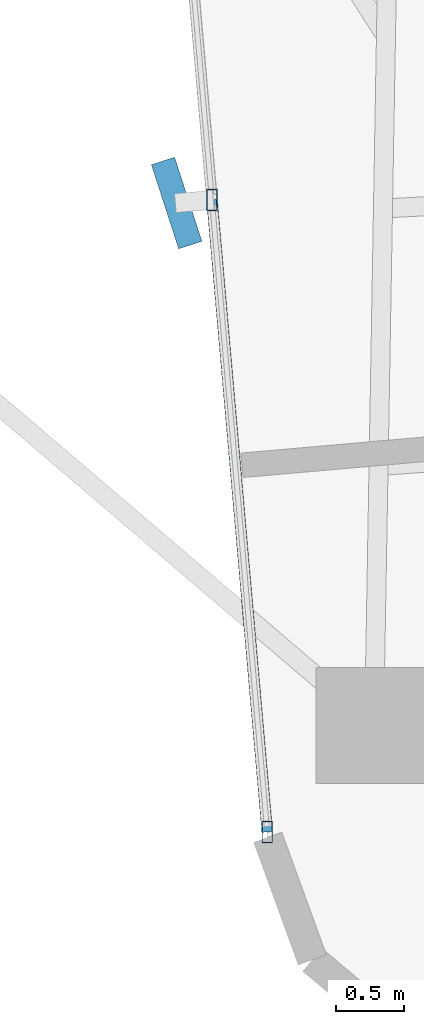
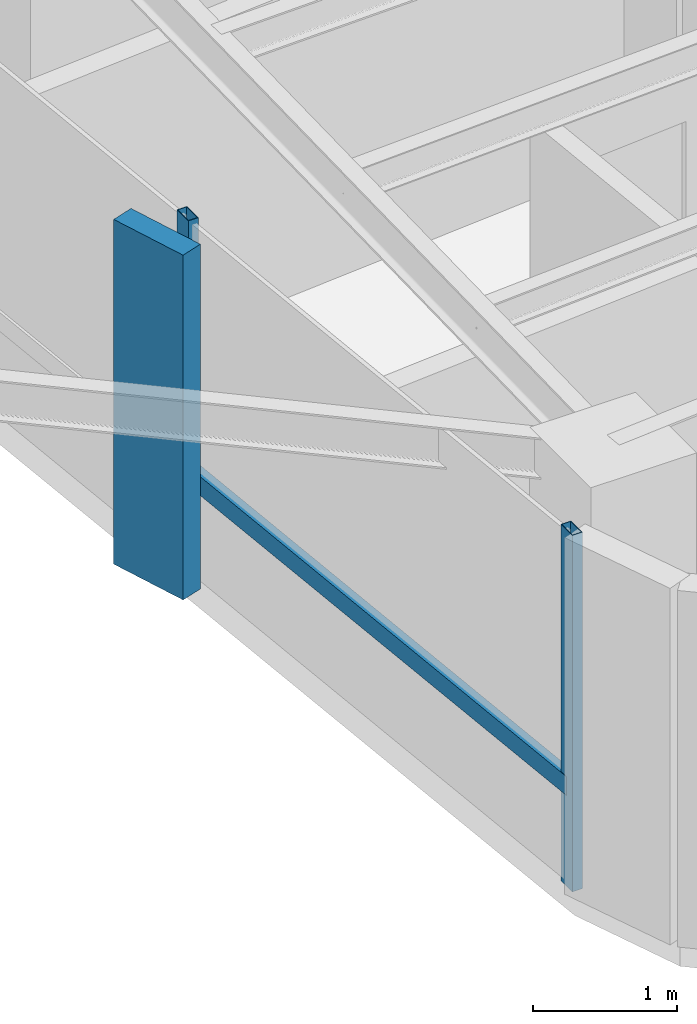
# One storey, part 2 of 24: 4 members, 1 element without a shape of its own.
"""IFC4 building model written with IfcOpenShell, lengths in metres."""

from ifc_helpers import new_model, si_unit, direction, frame, origin, origin_2d, place, context, subcontext, project, spatial, rectangle, hollow_rectangle, extrude, source, transform, mapped, material, material_profile, profile_set, type_object, element, aggregate, save


model = new_model("IFC4")

# Units and contexts
model_context = context("Model", 3, precision=1e-05, world=origin(), true_north=direction((0.0, 1.0)))
body_context = subcontext(model_context, "Body", "Model", "MODEL_VIEW")
ifc_project = project(units=[si_unit("LENGTHUNIT", "METRE"), si_unit("AREAUNIT", "SQUARE_METRE"), si_unit("VOLUMEUNIT", "CUBIC_METRE"), si_unit("PLANEANGLEUNIT", "RADIAN"), si_unit("MASSUNIT", "GRAM", prefix="KILO")], contexts=[model_context])

# Site, building, storey
site_placement = place(None, origin())
site = spatial("IfcSite", under=ifc_project, at=site_placement, CompositionType="ELEMENT")
building_placement = place(site_placement, origin())
building = spatial("IfcBuilding", under=site, at=building_placement, Name="Sahyath Konkavel Grand Hotel", CompositionType="ELEMENT")
storey_placement = place(building_placement, frame((0.0, 0.0, 198.64990234375)))
storey = spatial("IfcBuildingStorey", under=building, at=storey_placement, Name="L55", CompositionType="ELEMENT", Elevation=198.64990234375)

# Curtain wall, members
ifc_material_1 = material(Name="Anodised Bronze Aluminium & Low-E Glazing", Category="aluminium")
curtain_wall_type = type_object("IfcCurtainWallType", Name="CW-ZONE3", PredefinedType="NOTDEFINED", material=ifc_material_1)
curtain_wall_placement = place(storey_placement, origin())
curtain_wall = element("IfcCurtainWall", 1, at=curtain_wall_placement, inside=storey, type_object=curtain_wall_type, Name="L55 Unitised Curtain Wall F24", PredefinedType="NOTDEFINED")
ifc_material_2 = material(Name="Anodised Bronze Aluminium", Category="aluminium")
ifc_material_profile_1 = material_profile(ifc_material_2, hollow_rectangle(XDim=0.080078125, YDim=0.159912109375, WallThickness=0.006103515625, at=origin_2d()), Name="RHS 160x80x6")
ifc_profile_set_1 = profile_set([ifc_material_profile_1], Name="Anodised Bronze Aluminium")
member_type_1 = type_object("IfcMemberType", Name="CW-MUL-160", PredefinedType="MULLION", material=ifc_profile_set_1)
shared_shape_1 = source(origin(), body_context, "Body", "SweptSolid", [
    extrude(hollow_rectangle(XDim=0.080078125, YDim=0.159912109375, WallThickness=0.006103515625, at=origin_2d()), origin(), (0.0, 0.0, 1.0), 3.030029296875),
])
member_1_placement = place(storey_placement, frame((-5.12744140625, -14.251220703125, 0.0), z_axis=(0.0, 0.0, 1.0), x_axis=(1.0, 0.0, 0.0)))
member_1 = element("IfcMember", 2, at=member_1_placement, type_object=member_type_1, Name="L55 Curtain Wall Mullion F24-1", PredefinedType="MULLION", context=body_context, shape_type="MappedRepresentation", body=[
    mapped(shared_shape_1, transform((0.0, 0.0, 0.0), scale=1.0)),
])
member_2_placement = place(storey_placement, frame((-4.72119140625, -18.893310546875, 0.0), z_axis=(0.0, 0.0, 1.0), x_axis=(1.0, 0.0, 0.0)))
member_2 = element("IfcMember", 3, at=member_2_placement, type_object=member_type_1, Name="L55 Curtain Wall Mullion F24-2", PredefinedType="MULLION", context=body_context, shape_type="MappedRepresentation", body=[
    mapped(shared_shape_1, transform((0.0, 0.0, 0.0), scale=1.0)),
])
ifc_material_3 = material(Name="Warm Buff Sandstone Cladding on Concrete C50/60", Category="masonry")
ifc_material_profile_2 = material_profile(ifc_material_3, rectangle(XDim=0.179931640625, YDim=0.64990234375, at=origin_2d()), Name="FIN 180x650")
ifc_profile_set_2 = profile_set([ifc_material_profile_2], Name="Warm Buff Sandstone Cladding on Concrete C50/60")
member_type_2 = type_object("IfcMemberType", Name="FIN-SANDSTONE-650", PredefinedType="MULLION", material=ifc_profile_set_2)
shared_shape_2 = source(origin(), body_context, "Body", "SweptSolid", [
    extrude(rectangle(XDim=0.179931640625, YDim=0.64990234375, at=origin_2d()), origin(), (0.0, 0.0, 1.0), 2.929931640625),
])
member_3_placement = place(storey_placement, frame((-5.386474609375, -14.273681640625, 0.050048828125), z_axis=(0.0, 0.0, 1.0), x_axis=(0.951056516295, 0.309016994375, 0.0)))
member_3 = element("IfcMember", 4, at=member_3_placement, type_object=member_type_2, Name="L55 Sandstone Vertical Solar Fin FIN F24-1", PredefinedType="MULLION", context=body_context, shape_type="MappedRepresentation", body=[
    mapped(shared_shape_2, transform((0.0, 0.0, 0.0), scale=1.0)),
])
ifc_material_profile_3 = material_profile(ifc_material_2, hollow_rectangle(XDim=0.080078125, YDim=0.159912109375, WallThickness=0.006103515625, at=origin_2d()), Name="RHS 160x80x6")
ifc_profile_set_3 = profile_set([ifc_material_profile_3], Name="Anodised Bronze Aluminium")
member_type_3 = type_object("IfcMemberType", Name="CW-TRN-160", PredefinedType="USERDEFINED", material=ifc_profile_set_3)
shared_shape_3 = source(origin(), body_context, "Body", "SweptSolid", [
    extrude(hollow_rectangle(XDim=0.080078125, YDim=0.159912109375, WallThickness=0.006103515625, at=origin_2d()), origin(), (0.0, 0.0, 1.0), 4.659912109375),
])
member_4_placement = place(storey_placement, frame((-5.12744140625, -14.251220703125, 0.85009765625), z_axis=(0.087181248758, -0.996192466276, 0.0), x_axis=(0.996192466276, 0.087181248758, 0.0)))
member_4 = element("IfcMember", 5, at=member_4_placement, type_object=member_type_3, Name="L55 Curtain Wall Transom F24-1-spandrel", ObjectType="TRANSOM", PredefinedType="USERDEFINED", context=body_context, shape_type="MappedRepresentation", body=[
    mapped(shared_shape_3, transform((0.0, 0.0, 0.0), scale=1.0)),
])
aggregate(curtain_wall, [member_1, member_3, member_2, member_4])

save(model, "model.ifc")
